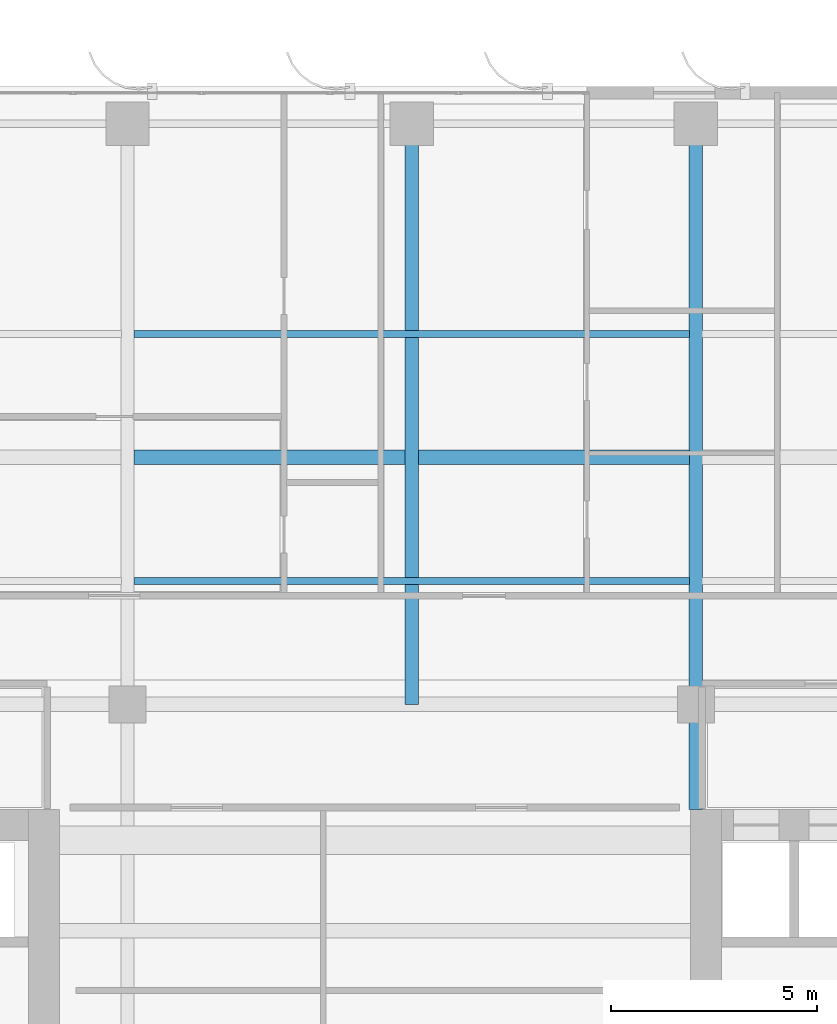
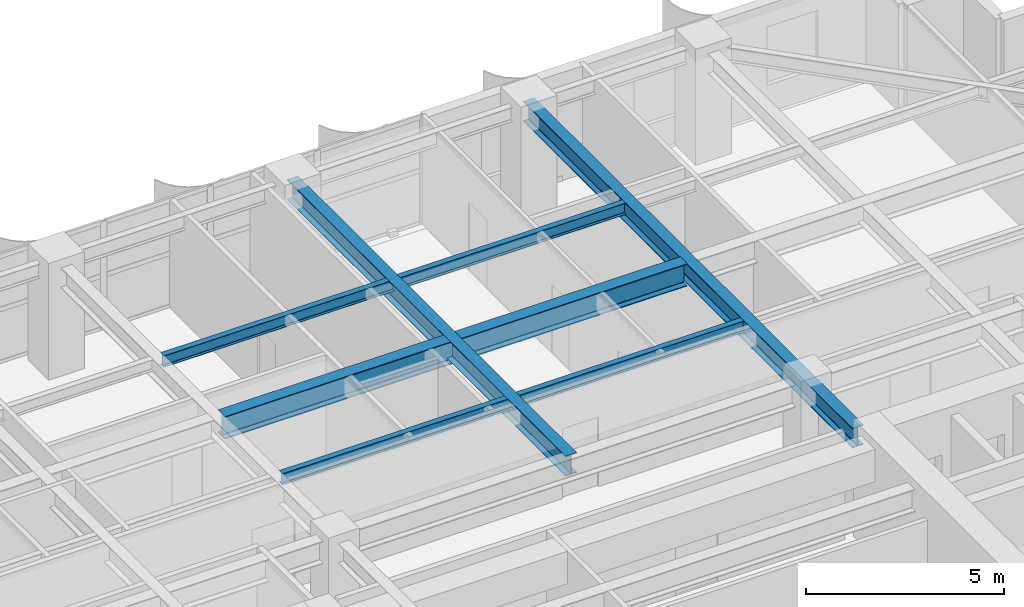
# One storey, part 10 of 22: 5 beams.
"""IFC4 building model written with IfcOpenShell, lengths in metres."""

from ifc_helpers import new_model, si_unit, direction, frame, origin, origin_2d, place, context, subcontext, project, spatial, i_section, extrude, source, transform, mapped, material, material_profile, profile_set, type_object, element, save


model = new_model("IFC4")

# Units and contexts
model_context = context("Model", 3, precision=1e-05, world=origin(), true_north=direction((0.0, 1.0)))
body_context = subcontext(model_context, "Body", "Model", "MODEL_VIEW")
ifc_project = project(units=[si_unit("LENGTHUNIT", "METRE"), si_unit("AREAUNIT", "SQUARE_METRE"), si_unit("VOLUMEUNIT", "CUBIC_METRE"), si_unit("PLANEANGLEUNIT", "RADIAN"), si_unit("MASSUNIT", "GRAM", prefix="KILO")], contexts=[model_context])

# Site, building, storey
site_placement = place(None, origin())
site = spatial("IfcSite", under=ifc_project, at=site_placement, CompositionType="ELEMENT")
building_placement = place(site_placement, origin())
building = spatial("IfcBuilding", under=site, at=building_placement, Name="Khoralis Quay Care Tower", CompositionType="ELEMENT")
storey_placement = place(building_placement, frame((0.0, 0.0, 98.10009765625)))
storey = spatial("IfcBuildingStorey", under=building, at=storey_placement, Name="L25", CompositionType="ELEMENT", Elevation=98.10009765625)

# Beams
ifc_material = material(Name="Steel S355", Category="steel")
ifc_material_profile_1 = material_profile(ifc_material, i_section(OverallWidth=0.35498046875, OverallDepth=0.695068359375, WebThickness=0.015380859375, FlangeThickness=0.02490234375, FilletRadius=0.02001953125, at=origin_2d()), Name="Steel S355")
ifc_profile_set_1 = profile_set([ifc_material_profile_1], Name="Steel S355")
beam_type_1 = type_object("IfcBeamType", Name="BM-W690X217", PredefinedType="BEAM", material=ifc_profile_set_1)
shared_shape_1 = source(origin(), body_context, "Body", "SweptSolid", [
    extrude(i_section(OverallWidth=0.35498046875, OverallDepth=0.695068359375, WebThickness=0.015380859375, FlangeThickness=0.02490234375, FilletRadius=0.02001953125, at=origin_2d()), origin(), (0.0, 0.0, 1.0), 13.4990234375),
])
beam_1_placement = place(storey_placement, frame((17.25048828125, 36.0, 2.992431640625), z_axis=(1.0, 0.0, 0.0), x_axis=(0.0, 1.0, 0.0)))
element("IfcBeam", 1, at=beam_1_placement, inside=storey, type_object=beam_type_1, Name="BM-TGCC-L25-360", PredefinedType="BEAM", context=body_context, shape_type="MappedRepresentation", body=[
    mapped(shared_shape_1, transform((0.0, 0.0, 0.0), scale=1.0)),
])
ifc_material_profile_2 = material_profile(ifc_material, i_section(OverallWidth=0.1708984375, OverallDepth=0.35498046875, WebThickness=0.007080078125, FlangeThickness=0.01171875, FilletRadius=0.012939453125, at=origin_2d()), Name="Steel S355")
ifc_profile_set_2 = profile_set([ifc_material_profile_2], Name="Steel S355")
beam_type_2 = type_object("IfcBeamType", Name="BM-W360X51", PredefinedType="JOIST", material=ifc_profile_set_2)
shared_shape_2 = source(origin(), body_context, "Body", "SweptSolid", [
    extrude(i_section(OverallWidth=0.1708984375, OverallDepth=0.35498046875, WebThickness=0.007080078125, FlangeThickness=0.01171875, FilletRadius=0.012939453125, at=origin_2d()), origin(), (0.0, 0.0, 1.0), 13.4990234375),
])
for number, where, z_axis, x_axis, name in (
    (2, (17.25048828125, 33.0, 3.162353515625), (1.0, 0.0, 0.0), (0.0, 1.0, 0.0), "BM-TJS-L25-30"),
    (3, (17.25048828125, 39.0, 3.162353515625), (1.0, 0.0, 0.0), (0.0, 1.0, 0.0), "BM-TJS-L25-33"),
):
    element("IfcBeam", number, at=place(storey_placement, frame(where, z_axis=z_axis, x_axis=x_axis)), inside=storey, type_object=beam_type_2, Name=name, PredefinedType="JOIST", context=body_context, shape_type="MappedRepresentation", body=[
        mapped(shared_shape_2, transform((0.0, 0.0, 0.0), scale=1.0)),
    ])
ifc_material_profile_3 = material_profile(ifc_material, i_section(OverallWidth=0.324951171875, OverallDepth=0.615966796875, WebThickness=0.013916015625, FlangeThickness=0.021484375, FilletRadius=0.01806640625, at=origin_2d()), Name="Steel S355")
ifc_profile_set_3 = profile_set([ifc_material_profile_3], Name="Steel S355")
beam_type_3 = type_object("IfcBeamType", Name="BM-W610X174", PredefinedType="BEAM", material=ifc_profile_set_3)
shared_shape_3 = source(origin(), body_context, "Body", "SweptSolid", [
    extrude(i_section(OverallWidth=0.324951171875, OverallDepth=0.615966796875, WebThickness=0.013916015625, FlangeThickness=0.021484375, FilletRadius=0.01806640625, at=origin_2d()), origin(), (0.0, 0.0, 1.0), 14.10009765625),
])
beam_2_placement = place(storey_placement, frame((24.0, 30.0, 3.031982421875), z_axis=(0.0, 1.0, 0.0), x_axis=(-1.0, 0.0, 0.0)))
element("IfcBeam", 4, at=beam_2_placement, inside=storey, type_object=beam_type_3, Name="BM-TGYN-L25-240", PredefinedType="BEAM", context=body_context, shape_type="MappedRepresentation", body=[
    mapped(shared_shape_3, transform((0.0, 0.0, 0.0), scale=1.0)),
])
shared_shape_4 = source(origin(), body_context, "Body", "SweptSolid", [
    extrude(i_section(OverallWidth=0.324951171875, OverallDepth=0.615966796875, WebThickness=0.013916015625, FlangeThickness=0.021484375, FilletRadius=0.01806640625, at=origin_2d()), origin(), (0.0, 0.0, 1.0), 16.652099609375),
])
beam_3_placement = place(storey_placement, frame((30.89990234375, 27.447998046875, 3.031982421875), z_axis=(0.0, 1.0, 0.0), x_axis=(-1.0, 0.0, 0.0)))
element("IfcBeam", 5, at=beam_3_placement, inside=storey, type_object=beam_type_3, Name="BM-TGYN-L25-309", PredefinedType="BEAM", context=body_context, shape_type="MappedRepresentation", body=[
    mapped(shared_shape_4, transform((0.0, 0.0, 0.0), scale=1.0)),
])

save(model, "model.ifc")
